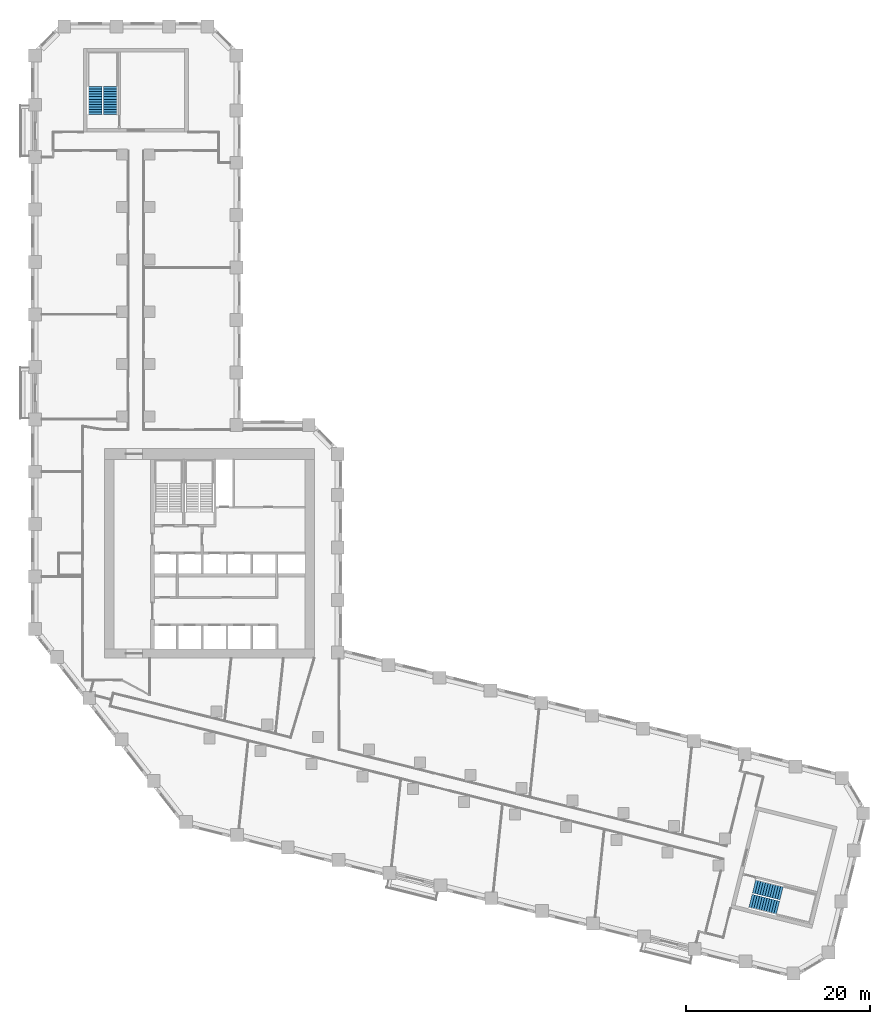
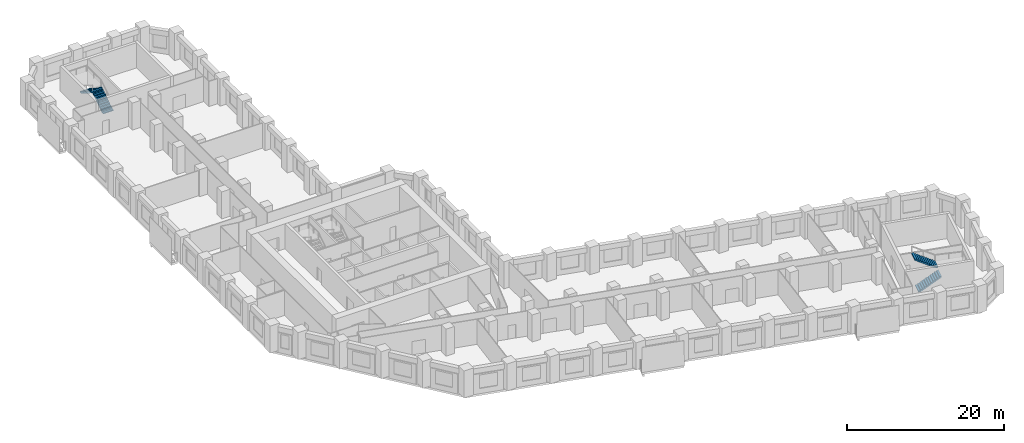
# One storey, part 10 of 11: 4 stair flights, 2 elements without a shape of their own.
"""IFC4 building model written with IfcOpenShell, lengths in metres."""

from ifc_helpers import new_model, si_unit, direction, frame, origin, place, context, subcontext, project, spatial, polyline, outline, extrude, material, type_object, element, aggregate, save


model = new_model("IFC4")

# Units and contexts
model_context = context("Model", 3, precision=1e-05, world=origin(), true_north=direction((0.0, 1.0)))
body_context = subcontext(model_context, "Body", "Model", "MODEL_VIEW")
ifc_project = project(units=[si_unit("LENGTHUNIT", "METRE"), si_unit("AREAUNIT", "SQUARE_METRE"), si_unit("VOLUMEUNIT", "CUBIC_METRE"), si_unit("PLANEANGLEUNIT", "RADIAN"), si_unit("MASSUNIT", "GRAM", prefix="KILO")], contexts=[model_context])

# Site, building, storey
site_placement = place(None, origin())
site = spatial("IfcSite", under=ifc_project, at=site_placement, CompositionType="ELEMENT")
building_placement = place(site_placement, origin())
building = spatial("IfcBuilding", under=site, at=building_placement, Name="Meshkara Civic Tower", CompositionType="ELEMENT")
storey_placement = place(building_placement, frame((0.0, 0.0, 45.60009765625)))
storey = spatial("IfcBuildingStorey", under=building, at=storey_placement, Name="L09", CompositionType="ELEMENT", Elevation=45.60009765625)

# Stair, stair flights
ifc_material_1 = material(Name="Precast concrete C40/50", Category="concrete")
stair_type = type_object("IfcStairType", Name="Exit stair half-turn 24 risers 1500 precast", PredefinedType="HALF_TURN_STAIR", material=ifc_material_1)
stair_1_placement = place(storey_placement, origin())
stair_1 = element("IfcStair", 1, at=stair_1_placement, inside=storey, type_object=stair_type, Name="L09 exit stair A from B2", PredefinedType="HALF_TURN_STAIR")
ifc_material_2 = material(Name="Precast concrete C40/50", Category="concrete")
stair_flight_type = type_object("IfcStairFlightType", Name="Exit stair flight 12 risers 1500 precast", PredefinedType="STRAIGHT", material=ifc_material_2)
stair_flight_1_placement = place(storey_placement, frame((8.625, 73.169921875, 0.0), z_axis=(0.0, 0.0, 1.0), x_axis=(0.0, 1.0, 0.0)))
stair_flight_1 = element("IfcStairFlight", 2, at=stair_flight_1_placement, type_object=stair_flight_type, Name="ESA1 flight 1", NumberOfRisers=12, NumberOfTreads=11, PredefinedType="STRAIGHT", RiserHeight=0.175, TreadLength=0.28, context=body_context, shape_type="SweptSolid", body=[
    extrude(outline(polyline([(0.0, 0.0), (0.0, 0.175048828125), (0.280029296875, 0.175048828125), (0.280029296875, 0.35009765625), (0.56005859375, 0.35009765625), (0.56005859375, 0.52490234375), (0.840087890625, 0.52490234375), (0.840087890625, 0.699951171875), (1.1201171875, 0.699951171875), (1.1201171875, 0.875), (1.39990234375, 0.875), (1.39990234375, 1.050048828125), (1.679931640625, 1.050048828125), (1.679931640625, 1.22509765625), (1.9599609375, 1.22509765625), (1.9599609375, 1.39990234375), (2.239990234375, 1.39990234375), (2.239990234375, 1.574951171875), (2.52001953125, 1.574951171875), (2.52001953125, 1.75), (2.800048828125, 1.75), (2.800048828125, 1.925048828125), (3.080078125, 1.925048828125), (3.080078125, 2.10009765625), (3.080078125, 1.748291015625), (0.28271484375, 0.0), (0.0, 0.0)])), frame((0.0, 0.75, 0.0), z_axis=(0.0, -1.0, 0.0), x_axis=(1.0, 0.0, 0.0)), (0.0, 0.0, 1.0), 1.5),
])
stair_flight_2_placement = place(storey_placement, frame((6.97509765625, 76.25, 2.099853515625), z_axis=(0.0, 0.0, 1.0), x_axis=(0.0, -1.0, 0.0)))
stair_flight_2 = element("IfcStairFlight", 3, at=stair_flight_2_placement, type_object=stair_flight_type, Name="ESA1 flight 2", NumberOfRisers=12, NumberOfTreads=11, PredefinedType="STRAIGHT", RiserHeight=0.175, TreadLength=0.28, context=body_context, shape_type="SweptSolid", body=[
    extrude(outline(polyline([(0.0, 0.0), (0.0, 0.175048828125), (0.280029296875, 0.175048828125), (0.280029296875, 0.35009765625), (0.56005859375, 0.35009765625), (0.56005859375, 0.52490234375), (0.840087890625, 0.52490234375), (0.840087890625, 0.699951171875), (1.1201171875, 0.699951171875), (1.1201171875, 0.875), (1.39990234375, 0.875), (1.39990234375, 1.050048828125), (1.679931640625, 1.050048828125), (1.679931640625, 1.22509765625), (1.9599609375, 1.22509765625), (1.9599609375, 1.39990234375), (2.239990234375, 1.39990234375), (2.239990234375, 1.574951171875), (2.52001953125, 1.574951171875), (2.52001953125, 1.75), (2.800048828125, 1.75), (2.800048828125, 1.925048828125), (3.080078125, 1.925048828125), (3.080078125, 2.10009765625), (3.080078125, 1.748291015625), (0.28271484375, 0.0), (0.0, 0.0)])), frame((0.0, 0.75, 0.0), z_axis=(0.0, -1.0, 0.0), x_axis=(1.0, 0.0, 0.0)), (0.0, 0.0, 1.0), 1.5),
])
aggregate(stair_1, [stair_flight_1, stair_flight_2])

stair_2_placement = place(storey_placement, origin())
stair_2 = element("IfcStair", 4, at=stair_2_placement, inside=storey, type_object=stair_type, Name="L09 exit stair B from B2", PredefinedType="HALF_TURN_STAIR")
stair_flight_3_placement = place(storey_placement, frame((78.214599609375, -12.3125, 0.0), z_axis=(0.0, 0.0, 1.0), x_axis=(0.970260066579, -0.242064873955, 0.0)))
stair_flight_3 = element("IfcStairFlight", 5, at=stair_flight_3_placement, type_object=stair_flight_type, Name="ESB1 flight 1", NumberOfRisers=12, NumberOfTreads=11, PredefinedType="STRAIGHT", RiserHeight=0.175, TreadLength=0.28, context=body_context, shape_type="SweptSolid", body=[
    extrude(outline(polyline([(0.0, 0.0), (0.0, 0.175048828125), (0.280029296875, 0.175048828125), (0.280029296875, 0.35009765625), (0.56005859375, 0.35009765625), (0.56005859375, 0.52490234375), (0.840087890625, 0.52490234375), (0.840087890625, 0.699951171875), (1.1201171875, 0.699951171875), (1.1201171875, 0.875), (1.39990234375, 0.875), (1.39990234375, 1.050048828125), (1.679931640625, 1.050048828125), (1.679931640625, 1.22509765625), (1.9599609375, 1.22509765625), (1.9599609375, 1.39990234375), (2.239990234375, 1.39990234375), (2.239990234375, 1.574951171875), (2.52001953125, 1.574951171875), (2.52001953125, 1.75), (2.800048828125, 1.75), (2.800048828125, 1.925048828125), (3.080078125, 1.925048828125), (3.080078125, 2.10009765625), (3.080078125, 1.748291015625), (0.28271484375, 0.0), (0.0, 0.0)])), frame((0.0, 0.75, 0.0), z_axis=(0.0, -1.0, 0.0), x_axis=(1.0, 0.0, 0.0)), (0.0, 0.0, 1.0), 1.5),
])
stair_flight_4_placement = place(storey_placement, frame((81.6025390625, -11.457275390625, 2.099853515625), z_axis=(0.0, 0.0, 1.0), x_axis=(-0.970260066579, 0.242064873955, 0.0)))
stair_flight_4 = element("IfcStairFlight", 6, at=stair_flight_4_placement, type_object=stair_flight_type, Name="ESB1 flight 2", NumberOfRisers=12, NumberOfTreads=11, PredefinedType="STRAIGHT", RiserHeight=0.175, TreadLength=0.28, context=body_context, shape_type="SweptSolid", body=[
    extrude(outline(polyline([(0.0, 0.0), (0.0, 0.175048828125), (0.280029296875, 0.175048828125), (0.280029296875, 0.35009765625), (0.56005859375, 0.35009765625), (0.56005859375, 0.52490234375), (0.840087890625, 0.52490234375), (0.840087890625, 0.699951171875), (1.1201171875, 0.699951171875), (1.1201171875, 0.875), (1.39990234375, 0.875), (1.39990234375, 1.050048828125), (1.679931640625, 1.050048828125), (1.679931640625, 1.22509765625), (1.9599609375, 1.22509765625), (1.9599609375, 1.39990234375), (2.239990234375, 1.39990234375), (2.239990234375, 1.574951171875), (2.52001953125, 1.574951171875), (2.52001953125, 1.75), (2.800048828125, 1.75), (2.800048828125, 1.925048828125), (3.080078125, 1.925048828125), (3.080078125, 2.10009765625), (3.080078125, 1.748291015625), (0.28271484375, 0.0), (0.0, 0.0)])), frame((0.0, 0.75, 0.0), z_axis=(0.0, -1.0, 0.0), x_axis=(1.0, 0.0, 0.0)), (0.0, 0.0, 1.0), 1.5),
])
aggregate(stair_2, [stair_flight_3, stair_flight_4])

save(model, "model.ifc")
